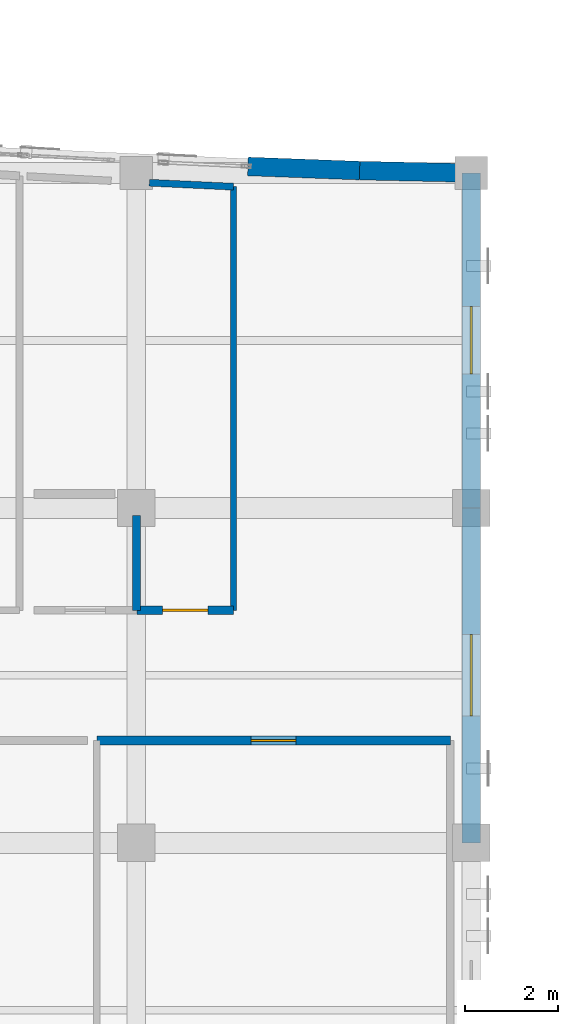
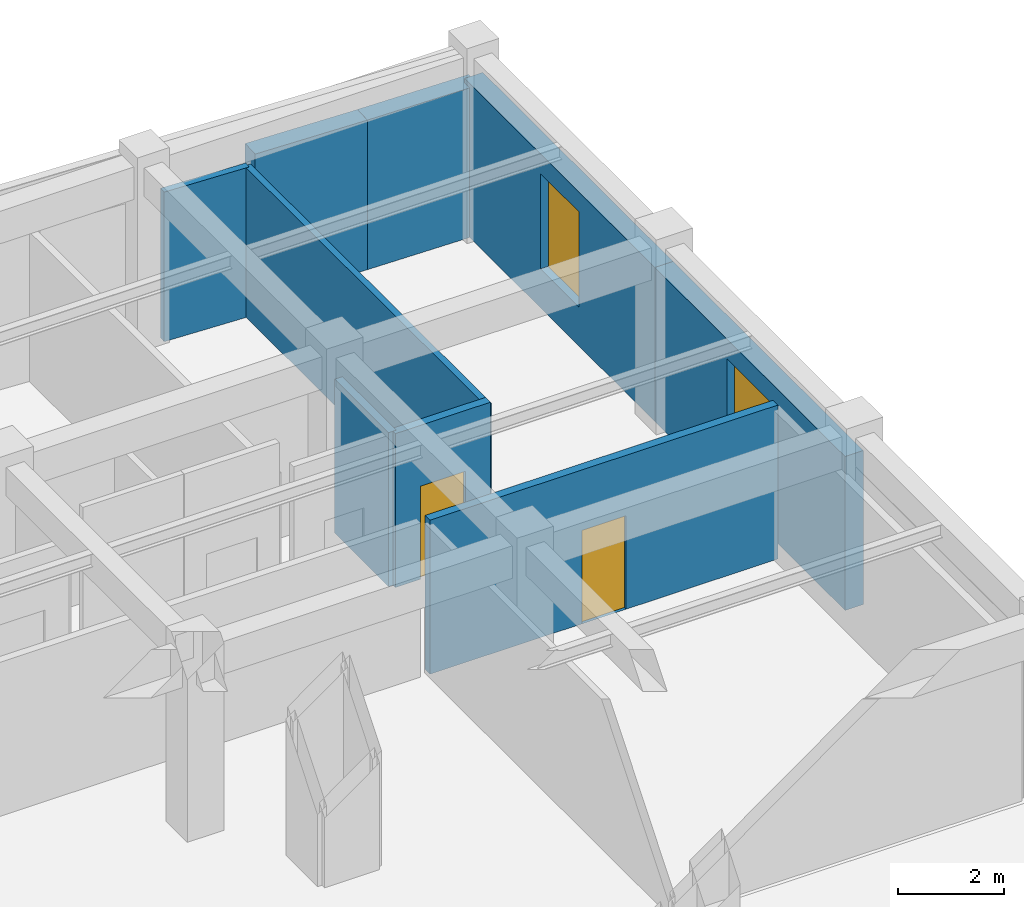
# One storey, part 89 of 106: 9 walls, 2 doors, 2 windows, 4 openings.
"""IFC4 building model written with IfcOpenShell, lengths in metres."""

from ifc_helpers import new_model, si_unit, direction, frame, frame_2d, origin, place, context, subcontext, project, spatial, rectangle, extrude, material, layer, layer_set, type_object, element, fill, save


model = new_model("IFC4")

# Units and contexts
model_context = context("Model", 3, precision=1e-05, world=origin(), true_north=direction((0.0, 1.0)))
body_context = subcontext(model_context, "Body", "Model", "MODEL_VIEW")
ifc_project = project(units=[si_unit("LENGTHUNIT", "METRE"), si_unit("AREAUNIT", "SQUARE_METRE"), si_unit("VOLUMEUNIT", "CUBIC_METRE"), si_unit("PLANEANGLEUNIT", "RADIAN"), si_unit("MASSUNIT", "GRAM", prefix="KILO")], contexts=[model_context])

# Site, building, storey
site_placement = place(None, origin())
site = spatial("IfcSite", under=ifc_project, at=site_placement, CompositionType="ELEMENT")
building_placement = place(site_placement, origin())
building = spatial("IfcBuilding", under=site, at=building_placement, Name="Carrowvane Square Congress Hotel", CompositionType="ELEMENT")
storey_placement = place(building_placement, frame((0.0, 0.0, 10.5)))
storey = spatial("IfcBuildingStorey", under=building, at=storey_placement, Name="L02", CompositionType="ELEMENT", Elevation=10.5)

# Walls
ifc_material_1 = material(Name="Glazed terracotta rainscreen", Category="masonry")
ifc_layer_1 = layer(ifc_material_1, 0.39990234375)
ifc_layer_set_1 = layer_set([ifc_layer_1], Name="Glazed terracotta rainscreen")
wall_type_1 = type_object("IfcWallType", Name="WL-EXT-TC400", PredefinedType="STANDARD", material=ifc_layer_set_1)
wall_1_placement = place(storey_placement, frame((158.0, 113.541015625, 0.0), z_axis=(0.0, 0.0, 1.0), x_axis=(0.99930757318, -0.037207179225, 0.0)))
element("IfcWall", 1, at=wall_1_placement, inside=storey, type_object=wall_type_1, Name="L02 exterior facade wall 280", PredefinedType="STANDARD", context=body_context, shape_type="SweptSolid", body=[
    extrude(rectangle(XDim=2.401611328125, YDim=0.39990234375, at=frame_2d((1.20068359375, 0.0))), origin(), (0.0, 0.0, 1.0), 3.455078125),
])
wall_2_placement = place(storey_placement, frame((160.39990234375, 113.45166015625, 0.0), z_axis=(0.0, 0.0, 1.0), x_axis=(0.999767568547, -0.021559426766, 0.0)))
element("IfcWall", 2, at=wall_2_placement, inside=storey, type_object=wall_type_1, Name="L02 exterior facade wall 281", PredefinedType="STANDARD", context=body_context, shape_type="SweptSolid", body=[
    extrude(rectangle(XDim=2.400634765625, YDim=0.39990234375, at=frame_2d((1.2001953125, 0.0))), origin(), (0.0, 0.0, 1.0), 3.455078125),
])

# Wall, opening, window
wall_3_placement = place(storey_placement, frame((162.800048828125, 113.39990234375, 0.0), z_axis=(0.0, 0.0, 1.0), x_axis=(0.0, -1.0, 0.0)))
wall_3 = element("IfcWall", 3, at=wall_3_placement, inside=storey, type_object=wall_type_1, Name="L02 exterior facade wall 282", PredefinedType="STANDARD", context=body_context, shape_type="SweptSolid", body=[
    extrude(rectangle(XDim=7.199951171875, YDim=0.39990234375, at=frame_2d((3.60009765625, 0.0))), origin(), (0.0, 0.0, 1.0), 3.554931640625),
])
opening_1_placement = place(wall_3_placement, frame((2.875, 0.0, 0.89990234375)))
opening_1 = element("IfcOpeningElement", 4, at=opening_1_placement, cuts=wall_3, Name="Opening W-33", PredefinedType="OPENING", context=body_context, shape_type="SweptSolid", body=[
    extrude(rectangle(XDim=1.449951171875, YDim=2.199951171875, at=frame_2d((0.72509765625, 1.10009765625))), frame((0.0, 0.2099609375, 0.0), z_axis=(0.0, -1.0, 0.0), x_axis=(1.0, 0.0, 0.0)), (0.0, 0.0, 1.0), 0.419921875),
])
ifc_material_2 = material(Name="Double-glazed low-E glass", Category="glass")
window_type_1 = type_object("IfcWindowType", Name="WIN-33", PartitioningType="SINGLE_PANEL", PredefinedType="WINDOW", material=ifc_material_2)
window_1_placement = place(opening_1_placement, origin())
window_1 = element("IfcWindow", 5, at=window_1_placement, inside=storey, type_object=window_type_1, Name="L02 facade window 94", OverallHeight=2.199951171875, OverallWidth=1.449951171875, PartitioningType="SINGLE_PANEL", PredefinedType="WINDOW", context=body_context, shape_type="SweptSolid", body=[
    extrude(rectangle(XDim=1.449951171875, YDim=2.199951171875, at=frame_2d((0.72509765625, 1.10009765625))), frame((0.0, 0.030029296875, 0.0), z_axis=(0.0, -1.0, 0.0), x_axis=(1.0, 0.0, 0.0)), (0.0, 0.0, 1.0), 0.06005859375),
])
fill(opening_1, window_1)

wall_4_placement = place(storey_placement, frame((162.800048828125, 106.199951171875, 0.0), z_axis=(0.0, 0.0, 1.0), x_axis=(0.0, -1.0, 0.0)))
wall_4 = element("IfcWall", 6, at=wall_4_placement, inside=storey, type_object=wall_type_1, Name="L02 exterior facade wall 283", PredefinedType="STANDARD", context=body_context, shape_type="SweptSolid", body=[
    extrude(rectangle(XDim=7.199951171875, YDim=0.39990234375, at=frame_2d((3.60009765625, 0.0))), origin(), (0.0, 0.0, 1.0), 3.554931640625),
])
opening_2_placement = place(wall_4_placement, frame((2.72509765625, 0.0, 0.89990234375)))
opening_2 = element("IfcOpeningElement", 7, at=opening_2_placement, cuts=wall_4, Name="Opening W-34", PredefinedType="OPENING", context=body_context, shape_type="SweptSolid", body=[
    extrude(rectangle(XDim=1.75, YDim=2.199951171875, at=frame_2d((0.875, 1.10009765625))), frame((0.0, 0.2099609375, 0.0), z_axis=(0.0, -1.0, 0.0), x_axis=(1.0, 0.0, 0.0)), (0.0, 0.0, 1.0), 0.419921875),
])
ifc_material_3 = material(Name="Double-glazed low-E glass", Category="glass")
window_type_2 = type_object("IfcWindowType", Name="WIN-34", PartitioningType="SINGLE_PANEL", PredefinedType="WINDOW", material=ifc_material_3)
window_2_placement = place(opening_2_placement, origin())
window_2 = element("IfcWindow", 8, at=window_2_placement, inside=storey, type_object=window_type_2, Name="L02 facade window 95", OverallHeight=2.199951171875, OverallWidth=1.75, PartitioningType="SINGLE_PANEL", PredefinedType="WINDOW", context=body_context, shape_type="SweptSolid", body=[
    extrude(rectangle(XDim=1.75, YDim=2.199951171875, at=frame_2d((0.875, 1.10009765625))), frame((0.0, 0.030029296875, 0.0), z_axis=(0.0, -1.0, 0.0), x_axis=(1.0, 0.0, 0.0)), (0.0, 0.0, 1.0), 0.06005859375),
])
fill(opening_2, window_2)

# Wall
ifc_material_4 = material(Name="Acoustic gypsum board", Category="gypsum")
ifc_layer_2 = layer(ifc_material_4, 0.169921875)
ifc_layer_set_2 = layer_set([ifc_layer_2], Name="Acoustic gypsum board")
wall_type_2 = type_object("IfcWallType", Name="WL-FIR-170", PredefinedType="PARTITIONING", material=ifc_layer_set_2)
wall_5_placement = place(storey_placement, frame((155.60009765625, 106.0400390625, 0.0), z_axis=(0.0, 0.0, 1.0), x_axis=(0.0, -1.0, 0.0)))
element("IfcWall", 9, at=wall_5_placement, inside=storey, type_object=wall_type_2, Name="L02 En-suite Bathroom 0223 partition", PredefinedType="PARTITIONING", context=body_context, shape_type="SweptSolid", body=[
    extrude(rectangle(XDim=2.0400390625, YDim=0.169921875, at=frame_2d((1.02001953125, 0.0))), origin(), (0.0, 0.0, 1.0), 3.554931640625),
])

# Wall, opening, door
ifc_material_5 = material(Name="Acoustic gypsum board", Category="gypsum")
ifc_layer_3 = layer(ifc_material_5, 0.18505859375)
ifc_layer_set_3 = layer_set([ifc_layer_3], Name="Acoustic gypsum board")
wall_type_3 = type_object("IfcWallType", Name="WL-FIR-185", PredefinedType="PARTITIONING", material=ifc_layer_set_3)
wall_6_placement = place(storey_placement, frame((154.75, 101.199951171875, 0.0), z_axis=(0.0, 0.0, 1.0), x_axis=(1.0, 0.0, 0.0)))
wall_6 = element("IfcWall", 10, at=wall_6_placement, inside=storey, type_object=wall_type_3, Name="L02 L02 Delegate Business Pantry partition", PredefinedType="PARTITIONING", context=body_context, shape_type="SweptSolid", body=[
    extrude(rectangle(XDim=7.60009765625, YDim=0.18505859375, at=frame_2d((3.800048828125, 0.0))), origin(), (0.0, 0.0, 1.0), 3.554931640625),
])
opening_3_placement = place(wall_6_placement, frame((3.31494140625, 0.0, 0.0)))
opening_3 = element("IfcOpeningElement", 11, at=opening_3_placement, cuts=wall_6, Name="Opening ID-19", PredefinedType="OPENING", context=body_context, shape_type="SweptSolid", body=[
    extrude(rectangle(XDim=0.969970703125, YDim=2.159912109375, at=frame_2d((0.48486328125, 1.080078125))), frame((0.0, 0.1025390625, 0.0), z_axis=(0.0, -1.0, 0.0), x_axis=(1.0, 0.0, 0.0)), (0.0, 0.0, 1.0), 0.205078125),
])
ifc_material_6 = material(Name="European oak timber", Category="wood")
door_type_1 = type_object("IfcDoorType", Name="DR-INT-0970x2160", OperationType="NOTDEFINED", PredefinedType="DOOR", material=ifc_material_6)
door_1_placement = place(opening_3_placement, origin())
door_1 = element("IfcDoor", 12, at=door_1_placement, inside=storey, type_object=door_type_1, Name="L02 L02 Delegate Business Pantry entrance door", OperationType="SINGLE_SWING_RIGHT", OverallHeight=2.159912109375, OverallWidth=0.969970703125, PredefinedType="DOOR", context=body_context, shape_type="SweptSolid", body=[
    extrude(rectangle(XDim=0.969970703125, YDim=2.159912109375, at=frame_2d((0.48486328125, 1.080078125))), frame((0.0, 0.02490234375, 0.0), z_axis=(0.0, -1.0, 0.0), x_axis=(1.0, 0.0, 0.0)), (0.0, 0.0, 1.0), 0.050048828125),
])
fill(opening_3, door_1)

wall_7_placement = place(storey_placement, frame((157.68994140625, 104.0, 0.0), z_axis=(0.0, 0.0, 1.0), x_axis=(-1.0, 0.0, 0.0)))
wall_7 = element("IfcWall", 13, at=wall_7_placement, inside=storey, type_object=wall_type_3, Name="L02 Parkview Guest Bedroom 0223 partition", PredefinedType="PARTITIONING", context=body_context, shape_type="SweptSolid", body=[
    extrude(rectangle(XDim=2.079833984375, YDim=0.18505859375, at=frame_2d((1.0400390625, 0.0))), origin(), (0.0, 0.0, 1.0), 3.554931640625),
])
opening_4_placement = place(wall_7_placement, frame((0.550048828125, 0.0, 0.0)))
opening_4 = element("IfcOpeningElement", 14, at=opening_4_placement, cuts=wall_7, Name="Opening FD-07", PredefinedType="OPENING", context=body_context, shape_type="SweptSolid", body=[
    extrude(rectangle(XDim=0.97998046875, YDim=2.14990234375, at=frame_2d((0.489990234375, 1.074951171875))), frame((0.0, 0.1025390625, 0.0), z_axis=(0.0, -1.0, 0.0), x_axis=(1.0, 0.0, 0.0)), (0.0, 0.0, 1.0), 0.205078125),
])
ifc_material_7 = material(Name="European oak timber", Category="wood")
door_type_2 = type_object("IfcDoorType", Name="DR-FD30-0980x2150", OperationType="NOTDEFINED", PredefinedType="DOOR", material=ifc_material_7)
door_2_placement = place(opening_4_placement, origin())
door_2 = element("IfcDoor", 15, at=door_2_placement, inside=storey, type_object=door_type_2, Name="L02 Parkview Guest Bedroom 0223 entrance door", OperationType="SINGLE_SWING_RIGHT", OverallHeight=2.14990234375, OverallWidth=0.97998046875, PredefinedType="DOOR", context=body_context, shape_type="SweptSolid", body=[
    extrude(rectangle(XDim=0.97998046875, YDim=2.14990234375, at=frame_2d((0.489990234375, 1.074951171875))), frame((0.0, 0.02490234375, 0.0), z_axis=(0.0, -1.0, 0.0), x_axis=(1.0, 0.0, 0.0)), (0.0, 0.0, 1.0), 0.050048828125),
])
fill(opening_4, door_2)

# Walls
ifc_material_8 = material(Name="Acoustic gypsum board", Category="gypsum")
ifc_layer_4 = layer(ifc_material_8, 0.137939453125)
ifc_layer_set_4 = layer_set([ifc_layer_4], Name="Acoustic gypsum board")
wall_type_4 = type_object("IfcWallType", Name="WL-PRT-138", PredefinedType="PARTITIONING", material=ifc_layer_set_4)
wall_8_placement = place(storey_placement, frame((157.68994140625, 113.10546875, 0.0), z_axis=(0.0, 0.0, 1.0), x_axis=(0.0, -1.0, 0.0)))
element("IfcWall", 16, at=wall_8_placement, inside=storey, type_object=wall_type_4, Name="L02 Parkview Guest Bedroom 0223 partition", PredefinedType="PARTITIONING", context=body_context, shape_type="SweptSolid", body=[
    extrude(rectangle(XDim=9.10546875, YDim=0.137939453125, at=frame_2d((4.552734375, 0.0))), origin(), (0.0, 0.0, 1.0), 3.455078125),
])
ifc_material_9 = material(Name="Acoustic gypsum board", Category="gypsum")
ifc_layer_5 = layer(ifc_material_9, 0.14794921875)
ifc_layer_set_5 = layer_set([ifc_layer_5], Name="Acoustic gypsum board")
wall_type_5 = type_object("IfcWallType", Name="WL-PRT-148", PredefinedType="PARTITIONING", material=ifc_layer_set_5)
wall_9_placement = place(storey_placement, frame((155.879638671875, 113.1904296875, 0.0), z_axis=(0.0, 0.0, 1.0), x_axis=(0.998900514589, -0.046880293874, 0.0)))
element("IfcWall", 17, at=wall_9_placement, inside=storey, type_object=wall_type_5, Name="L02 Parkview Guest Bedroom 0223 partition", PredefinedType="PARTITIONING", context=body_context, shape_type="SweptSolid", body=[
    extrude(rectangle(XDim=1.812255859375, YDim=0.14794921875, at=frame_2d((0.90625, 0.0))), origin(), (0.0, 0.0, 1.0), 3.455078125),
])

save(model, "model.ifc")
